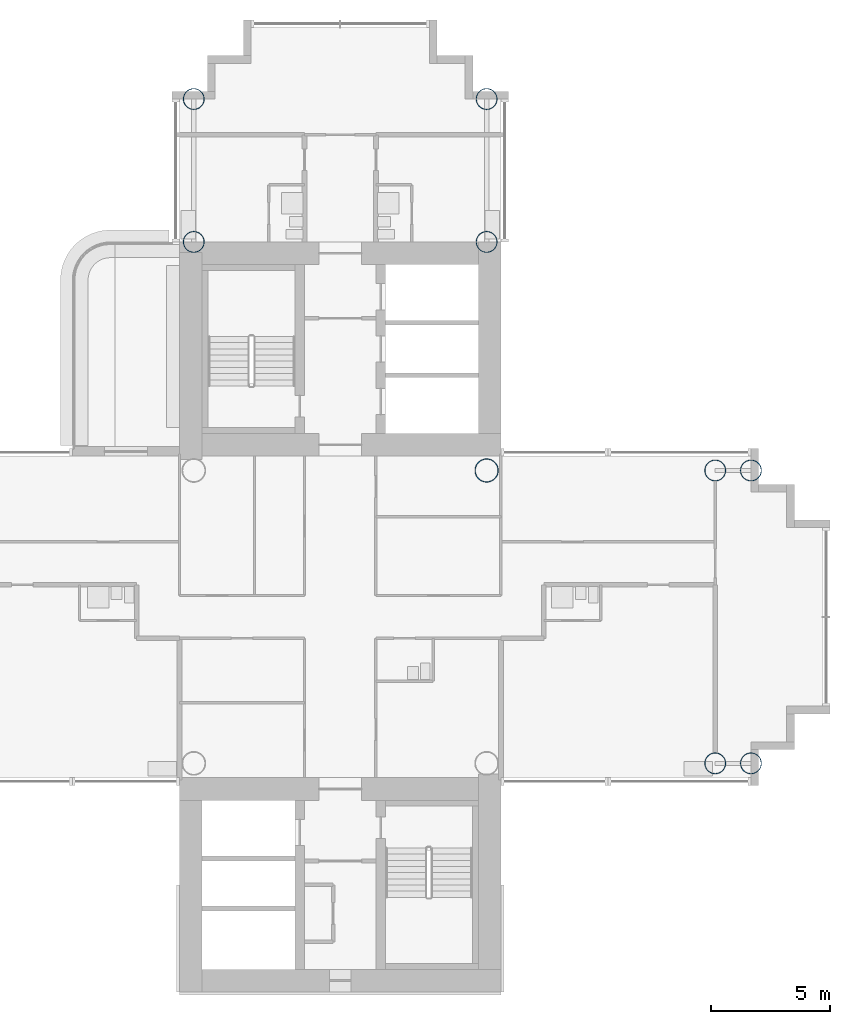
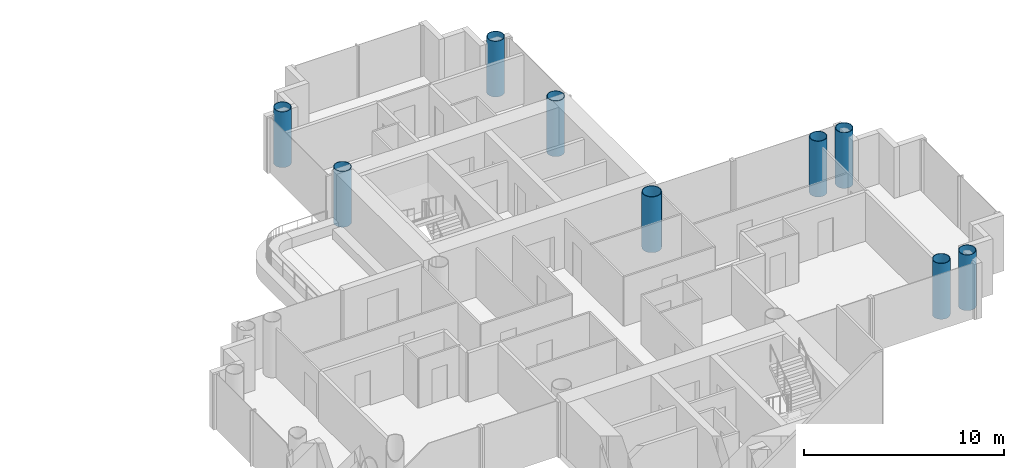
# One storey, part 2 of 21: 9 columns.
"""IFC4 building model written with IfcOpenShell, lengths in metres."""

import ifcopenshell
import ifcopenshell.guid

model = None  # the IFC model being written
_history = None  # IfcOwnerHistory: only IFC2X3 demands one
_inside = {}  # id of a spatial element -> (the spatial element, [elements in it])
_under = {}  # id of a project, library or spatial element -> (it, [spatial elements below it])
_declared = {}  # id of a project -> (the project, [libraries it declares])
_typed = {}  # id of a type object -> (the type object, [elements of that type])
_made_of = {}  # id of a material, layer set ... -> (it, [elements and type objects made of it])


def new_model(schema):
    """Start an empty IFC model of exactly this schema.

    Asked for "IFC4X3", IfcOpenShell would pick the latest addendum, in which some entities
    have other attributes; the version numbers below select the first issue.
    IFC2X3 requires an IfcOwnerHistory on every rooted entity: one is made here for all.
    """
    global model, _history
    if schema == "IFC4X3":
        model = ifcopenshell.file(schema_version=(4, 3, 0, 0))
    else:
        model = ifcopenshell.file(schema=schema)
    _inside.clear()
    _under.clear()
    _declared.clear()
    _typed.clear()
    _made_of.clear()
    _history = None
    if model.schema == "IFC2X3":
        org = make("IfcOrganization", Name="unknown")
        user = make(
            "IfcPersonAndOrganization",
            ThePerson=make("IfcPerson", FamilyName="unknown"),
            TheOrganization=org,
        )
        app = make(
            "IfcApplication",
            ApplicationDeveloper=org,
            Version="unknown",
            ApplicationFullName="unknown",
            ApplicationIdentifier="unknown",
        )
        _history = make(
            "IfcOwnerHistory",
            OwningUser=user,
            OwningApplication=app,
            ChangeAction="ADDED",
            CreationDate=0,
        )
    return model


def make(cls, **values):
    """One entity of the class cls with the attributes given. An attribute that is None is left unset."""
    return model.create_entity(
        cls, **{name: value for name, value in values.items() if value is not None}
    )


def rooted(cls, **values):
    """An entity with a GlobalId (a new one), such as an element, a storey or a relation."""
    return make(cls, GlobalId=ifcopenshell.guid.new(), OwnerHistory=_history, **values)


def si_unit(unit_type, name, prefix=None):
    """IfcSIUnit, for example si_unit("LENGTHUNIT", "METRE", prefix="MILLI")."""
    return make("IfcSIUnit", UnitType=unit_type, Prefix=prefix, Name=name)


def assignment(units):
    """IfcUnitAssignment: the units of a project."""
    return None if units is None else make("IfcUnitAssignment", Units=units)


def point(xyz):
    """IfcCartesianPoint."""
    return None if xyz is None else make("IfcCartesianPoint", Coordinates=xyz)


def direction(xyz):
    """IfcDirection."""
    return None if xyz is None else make("IfcDirection", DirectionRatios=xyz)


def frame(location, z_axis=None, x_axis=None):
    """IfcAxis2Placement3D, a coordinate frame: its origin and axes. An axis left out is left unset."""
    return make(
        "IfcAxis2Placement3D",
        Location=point(location),
        Axis=direction(z_axis),
        RefDirection=direction(x_axis),
    )


def frame_2d(location, x_axis=None):
    """IfcAxis2Placement2D, a coordinate frame in the plane: its origin and x axis."""
    return make(
        "IfcAxis2Placement2D", Location=point(location), RefDirection=direction(x_axis)
    )


def origin():
    """The frame at (0, 0, 0) with its axes left unset."""
    return frame((0.0, 0.0, 0.0))


def origin_2d():
    """The frame at (0, 0) in the plane with its x axis left unset."""
    return frame_2d((0.0, 0.0))


def place(relative_to, where):
    """IfcLocalPlacement: puts the frame where relative to a parent placement (None: the world)."""
    return make(
        "IfcLocalPlacement", PlacementRelTo=relative_to, RelativePlacement=where
    )


def context(
    kind, dimensions, precision=None, world=None, true_north=None, identifier=None
):
    """IfcGeometricRepresentationContext, for example the 3D "Model" context."""
    return make(
        "IfcGeometricRepresentationContext",
        ContextIdentifier=identifier,
        ContextType=kind,
        CoordinateSpaceDimension=dimensions,
        Precision=precision,
        WorldCoordinateSystem=world,
        TrueNorth=true_north,
    )


def subcontext(parent, identifier, kind, view, scale=None):
    """IfcGeometricRepresentationSubContext, for example "Body" below "Model"."""
    return make(
        "IfcGeometricRepresentationSubContext",
        ContextIdentifier=identifier,
        ContextType=kind,
        ParentContext=parent,
        TargetScale=scale,
        TargetView=view,
    )


def project(units=None, contexts=None):
    """IfcProject with its units and contexts."""
    return rooted(
        "IfcProject",
        Name="project",
        RepresentationContexts=contexts,
        UnitsInContext=assignment(units),
    )


def spatial(cls, under=None, at=None, **own):
    """A site, building, storey or space (cls), placed at a placement, below another one or the project."""
    s = rooted(cls, ObjectPlacement=at, **own)
    if under is not None:
        _under.setdefault(under.id(), (under, []))[1].append(s)
    return s


def profile(cls, at=None, kind="AREA", **sizes):
    """A parametric profile (cls). Its sizes go by their IFC names, for example OverallWidth=200.0."""
    return make(cls, ProfileType=kind, Position=at, **sizes)


def hollow_circle(**sizes):
    """IfcCircleHollowProfileDef."""
    return profile("IfcCircleHollowProfileDef", **sizes)


def extrude(swept, where, along, depth):
    """IfcExtrudedAreaSolid: the profile swept, set in the frame where, extruded along a direction by depth."""
    return make(
        "IfcExtrudedAreaSolid",
        SweptArea=swept,
        Position=where,
        ExtrudedDirection=direction(along),
        Depth=depth,
    )


def shape(context_of_items, identifier, shape_type, items):
    """IfcShapeRepresentation: the items that make up one representation, for example the "Body"."""
    return make(
        "IfcShapeRepresentation",
        ContextOfItems=context_of_items,
        RepresentationIdentifier=identifier,
        RepresentationType=shape_type,
        Items=items,
    )


def material(Name=None, Category=None):
    """IfcMaterial."""
    return make("IfcMaterial", Name=Name, Category=Category)


def material_profile(
    of_material, cross_section, Name=None, Category=None, Priority=None
):
    """IfcMaterialProfile: a cross section and its material."""
    return make(
        "IfcMaterialProfile",
        Name=Name,
        Material=of_material,
        Profile=cross_section,
        Priority=Priority,
        Category=Category,
    )


def profile_set(profiles, Name=None, composite=None):
    """IfcMaterialProfileSet."""
    return make(
        "IfcMaterialProfileSet",
        Name=Name,
        MaterialProfiles=profiles,
        CompositeProfile=composite,
    )


def made_of(thing, what):
    """Note that an element or type object is made of a material, layer set ...; save() writes the relation."""
    if what is not None:
        _made_of.setdefault(what.id(), (what, []))[1].append(thing)
    return thing


def type_object(cls, material=None, **own):
    """A type object (cls), such as IfcWallType, which elements share."""
    return made_of(rooted(cls, **own), material)


def element(
    cls,
    number,
    at=None,
    inside=None,
    cuts=None,
    type_object=None,
    material=None,
    context=None,
    identifier="Body",
    shape_type=None,
    held_by="IfcProductDefinitionShape",
    body=None,
    shapes=None,
    **own,
):
    """One element of the class cls, such as IfcWall. Its Tag is "e" and its number.

    at: its placement. inside: the storey or other place that contains it. cuts: it is an
    opening in that element (IfcRelVoidsElement). A single representation is given by context,
    identifier, shape_type and body (its items); several are given by shapes. held_by: the class
    of the entity that holds the representations. save() writes the other relations.
    """
    e = rooted(cls, Tag="e%d" % number, ObjectPlacement=at, **own)
    if body is not None:
        shapes = [shape(context, identifier, shape_type, body)]
    if shapes is not None:
        e.Representation = make(held_by, Representations=shapes)
    if inside is not None:
        _inside.setdefault(inside.id(), (inside, []))[1].append(e)
    if cuts is not None:
        rooted(
            "IfcRelVoidsElement", RelatingBuildingElement=cuts, RelatedOpeningElement=e
        )
    if type_object is not None:
        _typed.setdefault(type_object.id(), (type_object, []))[1].append(e)
    return made_of(e, material)


def aggregate(whole, parts):
    """IfcRelAggregates: a whole, such as a stair, and the parts it consists of."""
    return rooted("IfcRelAggregates", RelatingObject=whole, RelatedObjects=parts)


def save(model, path):
    """Write the relations noted so far, then the file.

    IfcRelAggregates (storeys below a building ...), IfcRelContainedInSpatialStructure (elements
    in a storey), IfcRelDefinesByType, IfcRelAssociatesMaterial and IfcRelDeclares: one each for
    every whole, place, type object, material and project.
    """
    for whole, parts in _under.values():
        aggregate(whole, parts)
    for where, things in _inside.values():
        rooted(
            "IfcRelContainedInSpatialStructure",
            RelatedElements=things,
            RelatingStructure=where,
        )
    for kind, things in _typed.values():
        rooted("IfcRelDefinesByType", RelatedObjects=things, RelatingType=kind)
    for what, things in _made_of.values():
        rooted("IfcRelAssociatesMaterial", RelatedObjects=things, RelatingMaterial=what)
    for by, libraries in _declared.values():
        rooted("IfcRelDeclares", RelatingContext=by, RelatedDefinitions=libraries)
    model.write(path)


model = new_model("IFC4")

# Units and contexts
model_context = context("Model", 3, precision=1e-05, world=origin(), true_north=direction((0.0, 1.0)))
body_context = subcontext(model_context, "Body", "Model", "MODEL_VIEW")
ifc_project = project(units=[si_unit("LENGTHUNIT", "METRE"), si_unit("AREAUNIT", "SQUARE_METRE"), si_unit("VOLUMEUNIT", "CUBIC_METRE"), si_unit("PLANEANGLEUNIT", "RADIAN"), si_unit("MASSUNIT", "GRAM", prefix="KILO")], contexts=[model_context])

# Site, building, storey
site_placement = place(None, origin())
site = spatial("IfcSite", under=ifc_project, at=site_placement, CompositionType="ELEMENT")
building_placement = place(site_placement, origin())
building = spatial("IfcBuilding", under=site, at=building_placement, Name="Ipe Terrace Towers", CompositionType="ELEMENT")
storey_placement = place(building_placement, frame((0.0, 0.0, 103.800048828125)))
storey = spatial("IfcBuildingStorey", under=building, at=storey_placement, Name="L28", CompositionType="ELEMENT", Elevation=103.800048828125)

# Columns
ifc_material_1 = material(Name="Steel S355 tube with Concrete C60/75 fill", Category="concrete")
ifc_material_profile_1 = material_profile(ifc_material_1, hollow_circle(Radius=0.5, WallThickness=0.035888671875, at=origin_2d()), Name="CHS-1000x36")
ifc_profile_set_1 = profile_set([ifc_material_profile_1], Name="Steel S355 tube with Concrete C60/75 fill")
column_type_1 = type_object("IfcColumnType", Name="CH01 COLUMN CHS-1000x36", PredefinedType="COLUMN", material=ifc_profile_set_1)
column_placement = place(storey_placement, frame((42.14990234375, 6.14990234375, 0.0), z_axis=(0.0, 0.0, 1.0), x_axis=(1.0, 0.0, 0.0)))
element("IfcColumn", 1, at=column_placement, inside=storey, type_object=column_type_1, Name="Column T2-C-E02", PredefinedType="COLUMN", context=body_context, shape_type="SweptSolid", body=[
    extrude(hollow_circle(Radius=0.5, WallThickness=0.035888671875, at=origin_2d()), origin(), (0.0, 0.0, 1.0), 3.39990234375),
])
ifc_material_2 = material(Name="Steel S355 tube with Concrete C60/75 fill", Category="concrete")
ifc_material_profile_2 = material_profile(ifc_material_2, hollow_circle(Radius=0.449951171875, WallThickness=0.031982421875, at=origin_2d()), Name="CHS-900x32")
ifc_profile_set_2 = profile_set([ifc_material_profile_2], Name="Steel S355 tube with Concrete C60/75 fill")
column_type_2 = type_object("IfcColumnType", Name="CH10 COLUMN CHS-900x32", PredefinedType="COLUMN", material=ifc_profile_set_2)
for number, where, z_axis, x_axis, name in (
    (2, (42.14990234375, 15.75, 0.0), (0.0, 0.0, 1.0), (1.0, 0.0, 0.0), "Column T2-C-A01"),
    (3, (29.85009765625, 15.75, 0.0), (0.0, 0.0, 1.0), (1.0, 0.0, 0.0), "Column T2-C-A02"),
    (4, (42.14990234375, 21.75, 0.0), (0.0, 0.0, 1.0), (1.0, 0.0, 0.0), "Column T2-C-A03"),
    (5, (29.85009765625, 21.75, 0.0), (0.0, 0.0, 1.0), (1.0, 0.0, 0.0), "Column T2-C-A04"),
    (6, (51.75, -6.14990234375, 0.0), (0.0, 0.0, 1.0), (1.0, 0.0, 0.0), "Column T2-C-D03"),
    (7, (51.75, 6.14990234375, 0.0), (0.0, 0.0, 1.0), (1.0, 0.0, 0.0), "Column T2-C-D04"),
    (8, (53.25, -6.14990234375, 0.0), (0.0, 0.0, 1.0), (1.0, 0.0, 0.0), "Column T2-C-D05"),
    (9, (53.25, 6.14990234375, 0.0), (0.0, 0.0, 1.0), (1.0, 0.0, 0.0), "Column T2-C-D06"),
):
    element("IfcColumn", number, at=place(storey_placement, frame(where, z_axis=z_axis, x_axis=x_axis)), inside=storey, type_object=column_type_2, Name=name, PredefinedType="COLUMN", context=body_context, shape_type="SweptSolid", body=[
        extrude(hollow_circle(Radius=0.449951171875, WallThickness=0.031982421875, at=origin_2d()), origin(), (0.0, 0.0, 1.0), 3.39990234375),
    ])

save(model, "model.ifc")
